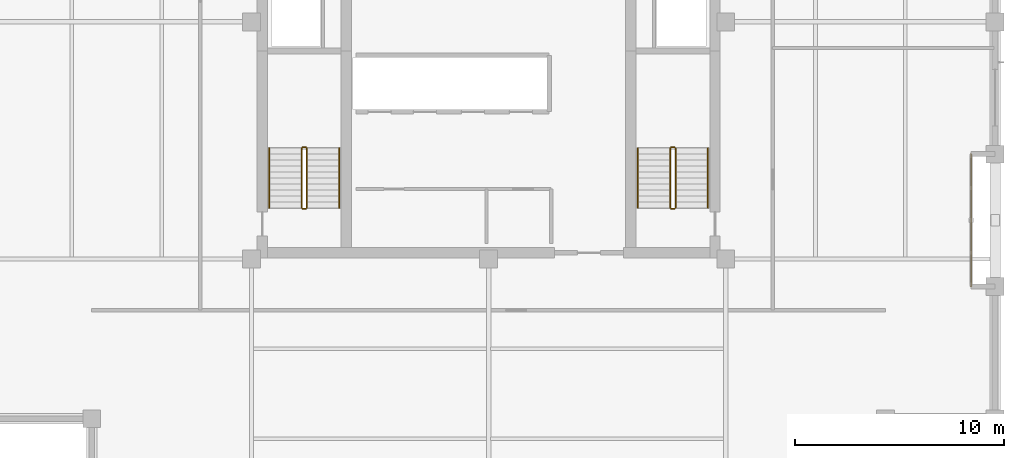
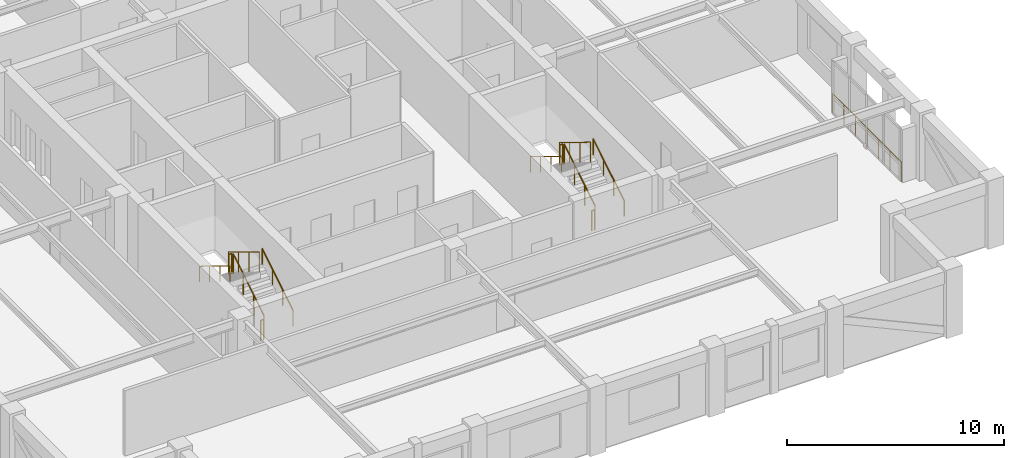
# One storey, part 11 of 11: 13 railings.
"""IFC4 building model written with IfcOpenShell, lengths in metres."""

from ifc_helpers import new_model, si_unit, direction, frame, origin, origin_2d, place, context, subcontext, project, spatial, circle, extrude, material, type_object, element, save


model = new_model("IFC4")

# Units and contexts
model_context = context("Model", 3, precision=1e-05, world=origin(), true_north=direction((0.0, 1.0)))
body_context = subcontext(model_context, "Body", "Model", "MODEL_VIEW")
ifc_project = project(units=[si_unit("LENGTHUNIT", "METRE"), si_unit("AREAUNIT", "SQUARE_METRE"), si_unit("VOLUMEUNIT", "CUBIC_METRE"), si_unit("PLANEANGLEUNIT", "RADIAN"), si_unit("MASSUNIT", "GRAM", prefix="KILO")], contexts=[model_context])

# Site, building, storey
site_placement = place(None, origin())
site = spatial("IfcSite", under=ifc_project, at=site_placement, CompositionType="ELEMENT")
building_placement = place(site_placement, origin())
building = spatial("IfcBuilding", under=site, at=building_placement, Name="Nhamokura Convention Tower", CompositionType="ELEMENT")
storey_placement = place(building_placement, frame((0.0, 0.0, 244.64990234375)))
storey = spatial("IfcBuildingStorey", under=building, at=storey_placement, Name="L60", CompositionType="ELEMENT", Elevation=244.64990234375)

# Railings
ifc_material_1 = material(Name="Anodised bronze stainless steel", Category="steel")
railing_type_1 = type_object("IfcRailingType", Name="StairWallHandrail_900", PredefinedType="HANDRAIL", material=ifc_material_1)
railing_1_placement = place(storey_placement, frame((24.85009765625, 23.10009765625, 0.175048828125)))
element("IfcRailing", 1, at=railing_1_placement, inside=storey, type_object=railing_type_1, Name="L60 ST-01 stair handrail 1", PredefinedType="HANDRAIL", context=body_context, shape_type="SweptSolid", body=[
    extrude(circle(Radius=0.02392578125, at=origin_2d()), frame((0.0, 0.0, 0.8759765625), z_axis=(0.0, 0.852159232446, 0.523282564737), x_axis=(-1.0, 0.0, 0.0)), (0.0, 0.0, 1.0), 3.34423828125),
    extrude(circle(Radius=0.02099609375, at=origin_2d()), origin(), (0.0, 0.0, 1.0), 0.851806640625),
    extrude(circle(Radius=0.02099609375, at=origin_2d()), frame((0.0, 0.949951171875, 0.583251953125)), (0.0, 0.0, 1.0), 0.851806640625),
    extrude(circle(Radius=0.02099609375, at=origin_2d()), frame((0.0, 1.89990234375, 1.166748046875)), (0.0, 0.0, 1.0), 0.851806640625),
    extrude(circle(Radius=0.02099609375, at=origin_2d()), frame((0.0, 2.849853515625, 1.75)), (0.0, 0.0, 1.0), 0.851806640625),
])
railing_2_placement = place(storey_placement, frame((21.5, 25.949951171875, 2.10009765625)))
element("IfcRailing", 2, at=railing_2_placement, inside=storey, type_object=railing_type_1, Name="L60 ST-01 stair handrail 2", PredefinedType="HANDRAIL", context=body_context, shape_type="SweptSolid", body=[
    extrude(circle(Radius=0.02392578125, at=origin_2d()), frame((0.0, 0.0, 0.8759765625), z_axis=(0.0, -0.852159232446, 0.523282564737), x_axis=(1.0, 0.0, 0.0)), (0.0, 0.0, 1.0), 3.34423828125),
    extrude(circle(Radius=0.02099609375, at=origin_2d()), origin(), (0.0, 0.0, 1.0), 0.851806640625),
    extrude(circle(Radius=0.02099609375, at=origin_2d()), frame((0.0, -0.949951171875, 0.583251953125)), (0.0, 0.0, 1.0), 0.851806640625),
    extrude(circle(Radius=0.02099609375, at=origin_2d()), frame((0.0, -1.89990234375, 1.166748046875)), (0.0, 0.0, 1.0), 0.851806640625),
    extrude(circle(Radius=0.02099609375, at=origin_2d()), frame((0.0, -2.849853515625, 1.75)), (0.0, 0.0, 1.0), 0.851806640625),
])
railing_3_placement = place(storey_placement, frame((42.5, 23.10009765625, 0.175048828125)))
element("IfcRailing", 3, at=railing_3_placement, inside=storey, type_object=railing_type_1, Name="L60 ST-02 stair handrail 1", PredefinedType="HANDRAIL", context=body_context, shape_type="SweptSolid", body=[
    extrude(circle(Radius=0.02392578125, at=origin_2d()), frame((0.0, 0.0, 0.8759765625), z_axis=(0.0, 0.852159232446, 0.523282564737), x_axis=(-1.0, 0.0, 0.0)), (0.0, 0.0, 1.0), 3.34423828125),
    extrude(circle(Radius=0.02099609375, at=origin_2d()), origin(), (0.0, 0.0, 1.0), 0.851806640625),
    extrude(circle(Radius=0.02099609375, at=origin_2d()), frame((0.0, 0.949951171875, 0.583251953125)), (0.0, 0.0, 1.0), 0.851806640625),
    extrude(circle(Radius=0.02099609375, at=origin_2d()), frame((0.0, 1.89990234375, 1.166748046875)), (0.0, 0.0, 1.0), 0.851806640625),
    extrude(circle(Radius=0.02099609375, at=origin_2d()), frame((0.0, 2.849853515625, 1.75)), (0.0, 0.0, 1.0), 0.851806640625),
])
railing_4_placement = place(storey_placement, frame((39.14990234375, 25.949951171875, 2.10009765625)))
element("IfcRailing", 4, at=railing_4_placement, inside=storey, type_object=railing_type_1, Name="L60 ST-02 stair handrail 2", PredefinedType="HANDRAIL", context=body_context, shape_type="SweptSolid", body=[
    extrude(circle(Radius=0.02392578125, at=origin_2d()), frame((0.0, 0.0, 0.8759765625), z_axis=(0.0, -0.852159232446, 0.523282564737), x_axis=(1.0, 0.0, 0.0)), (0.0, 0.0, 1.0), 3.34423828125),
    extrude(circle(Radius=0.02099609375, at=origin_2d()), origin(), (0.0, 0.0, 1.0), 0.851806640625),
    extrude(circle(Radius=0.02099609375, at=origin_2d()), frame((0.0, -0.949951171875, 0.583251953125)), (0.0, 0.0, 1.0), 0.851806640625),
    extrude(circle(Radius=0.02099609375, at=origin_2d()), frame((0.0, -1.89990234375, 1.166748046875)), (0.0, 0.0, 1.0), 0.851806640625),
    extrude(circle(Radius=0.02099609375, at=origin_2d()), frame((0.0, -2.849853515625, 1.75)), (0.0, 0.0, 1.0), 0.851806640625),
])
ifc_material_2 = material(Name="Painted tubular steel", Category="steel")
railing_type_2 = type_object("IfcRailingType", Name="StairWellGuardrail_1150", PredefinedType="GUARDRAIL", material=ifc_material_2)
railing_5_placement = place(storey_placement, frame((23.300048828125, 23.10009765625, 0.175048828125)))
element("IfcRailing", 5, at=railing_5_placement, inside=storey, type_object=railing_type_2, Name="L60 ST-01 stair guard 1", PredefinedType="GUARDRAIL", context=body_context, shape_type="SweptSolid", body=[
    extrude(circle(Radius=0.02392578125, at=origin_2d()), frame((0.0, 0.0, 1.1259765625), z_axis=(0.0, 0.852159232446, 0.523282564737), x_axis=(-1.0, 0.0, 0.0)), (0.0, 0.0, 1.0), 3.34423828125),
    extrude(circle(Radius=0.02099609375, at=origin_2d()), origin(), (0.0, 0.0, 1.0), 1.101806640625),
    extrude(circle(Radius=0.02099609375, at=origin_2d()), frame((0.0, 0.949951171875, 0.583251953125)), (0.0, 0.0, 1.0), 1.101806640625),
    extrude(circle(Radius=0.02099609375, at=origin_2d()), frame((0.0, 1.89990234375, 1.166748046875)), (0.0, 0.0, 1.0), 1.101806640625),
    extrude(circle(Radius=0.02099609375, at=origin_2d()), frame((0.0, 2.849853515625, 1.75)), (0.0, 0.0, 1.0), 1.101806640625),
])
railing_6_placement = place(storey_placement, frame((23.25, 26.0, 1.925048828125)))
element("IfcRailing", 6, at=railing_6_placement, inside=storey, type_object=railing_type_2, Name="L60 ST-01 stair guard 2", PredefinedType="GUARDRAIL", context=body_context, shape_type="SweptSolid", body=[
    extrude(circle(Radius=0.02392578125, at=origin_2d()), frame((0.0, 0.0, 1.1259765625), z_axis=(-1.0, 0.0, 0.0), x_axis=(0.0, -1.0, 0.0)), (0.0, 0.0, 1.0), 0.14990234375),
    extrude(circle(Radius=0.02099609375, at=origin_2d()), origin(), (0.0, 0.0, 1.0), 1.101806640625),
    extrude(circle(Radius=0.02099609375, at=origin_2d()), frame((-0.14990234375, 0.0, 0.0)), (0.0, 0.0, 1.0), 1.101806640625),
])
railing_7_placement = place(storey_placement, frame((23.050048828125, 25.949951171875, 2.10009765625)))
element("IfcRailing", 7, at=railing_7_placement, inside=storey, type_object=railing_type_2, Name="L60 ST-01 stair guard 3", PredefinedType="GUARDRAIL", context=body_context, shape_type="SweptSolid", body=[
    extrude(circle(Radius=0.02392578125, at=origin_2d()), frame((0.0, 0.0, 1.1259765625), z_axis=(0.0, -0.852159232446, 0.523282564737), x_axis=(1.0, 0.0, 0.0)), (0.0, 0.0, 1.0), 3.34423828125),
    extrude(circle(Radius=0.02099609375, at=origin_2d()), origin(), (0.0, 0.0, 1.0), 1.101806640625),
    extrude(circle(Radius=0.02099609375, at=origin_2d()), frame((0.0, -0.949951171875, 0.583251953125)), (0.0, 0.0, 1.0), 1.101806640625),
    extrude(circle(Radius=0.02099609375, at=origin_2d()), frame((0.0, -1.89990234375, 1.166748046875)), (0.0, 0.0, 1.0), 1.101806640625),
    extrude(circle(Radius=0.02099609375, at=origin_2d()), frame((0.0, -2.849853515625, 1.75)), (0.0, 0.0, 1.0), 1.101806640625),
])
railing_8_placement = place(storey_placement, frame((23.25, 23.050048828125, 0.0)))
element("IfcRailing", 8, at=railing_8_placement, inside=storey, type_object=railing_type_2, Name="L60 ST-01 stair guard 4", PredefinedType="GUARDRAIL", context=body_context, shape_type="SweptSolid", body=[
    extrude(circle(Radius=0.02392578125, at=origin_2d()), frame((0.0, 0.0, 1.1259765625), z_axis=(-1.0, 0.0, 0.0), x_axis=(0.0, -1.0, 0.0)), (0.0, 0.0, 1.0), 0.14990234375),
    extrude(circle(Radius=0.02099609375, at=origin_2d()), origin(), (0.0, 0.0, 1.0), 1.101806640625),
    extrude(circle(Radius=0.02099609375, at=origin_2d()), frame((-0.14990234375, 0.0, 0.0)), (0.0, 0.0, 1.0), 1.101806640625),
])
railing_9_placement = place(storey_placement, frame((40.949951171875, 23.10009765625, 0.175048828125)))
element("IfcRailing", 9, at=railing_9_placement, inside=storey, type_object=railing_type_2, Name="L60 ST-02 stair guard 1", PredefinedType="GUARDRAIL", context=body_context, shape_type="SweptSolid", body=[
    extrude(circle(Radius=0.02392578125, at=origin_2d()), frame((0.0, 0.0, 1.1259765625), z_axis=(0.0, 0.852159232446, 0.523282564737), x_axis=(-1.0, 0.0, 0.0)), (0.0, 0.0, 1.0), 3.34423828125),
    extrude(circle(Radius=0.02099609375, at=origin_2d()), origin(), (0.0, 0.0, 1.0), 1.101806640625),
    extrude(circle(Radius=0.02099609375, at=origin_2d()), frame((0.0, 0.949951171875, 0.583251953125)), (0.0, 0.0, 1.0), 1.101806640625),
    extrude(circle(Radius=0.02099609375, at=origin_2d()), frame((0.0, 1.89990234375, 1.166748046875)), (0.0, 0.0, 1.0), 1.101806640625),
    extrude(circle(Radius=0.02099609375, at=origin_2d()), frame((0.0, 2.849853515625, 1.75)), (0.0, 0.0, 1.0), 1.101806640625),
])
railing_10_placement = place(storey_placement, frame((40.89990234375, 26.0, 1.925048828125)))
element("IfcRailing", 10, at=railing_10_placement, inside=storey, type_object=railing_type_2, Name="L60 ST-02 stair guard 2", PredefinedType="GUARDRAIL", context=body_context, shape_type="SweptSolid", body=[
    extrude(circle(Radius=0.02392578125, at=origin_2d()), frame((0.0, 0.0, 1.1259765625), z_axis=(-1.0, 0.0, 0.0), x_axis=(0.0, -1.0, 0.0)), (0.0, 0.0, 1.0), 0.14990234375),
    extrude(circle(Radius=0.02099609375, at=origin_2d()), origin(), (0.0, 0.0, 1.0), 1.101806640625),
    extrude(circle(Radius=0.02099609375, at=origin_2d()), frame((-0.14990234375, 0.0, 0.0)), (0.0, 0.0, 1.0), 1.101806640625),
])
railing_11_placement = place(storey_placement, frame((40.699951171875, 25.949951171875, 2.10009765625)))
element("IfcRailing", 11, at=railing_11_placement, inside=storey, type_object=railing_type_2, Name="L60 ST-02 stair guard 3", PredefinedType="GUARDRAIL", context=body_context, shape_type="SweptSolid", body=[
    extrude(circle(Radius=0.02392578125, at=origin_2d()), frame((0.0, 0.0, 1.1259765625), z_axis=(0.0, -0.852159232446, 0.523282564737), x_axis=(1.0, 0.0, 0.0)), (0.0, 0.0, 1.0), 3.34423828125),
    extrude(circle(Radius=0.02099609375, at=origin_2d()), origin(), (0.0, 0.0, 1.0), 1.101806640625),
    extrude(circle(Radius=0.02099609375, at=origin_2d()), frame((0.0, -0.949951171875, 0.583251953125)), (0.0, 0.0, 1.0), 1.101806640625),
    extrude(circle(Radius=0.02099609375, at=origin_2d()), frame((0.0, -1.89990234375, 1.166748046875)), (0.0, 0.0, 1.0), 1.101806640625),
    extrude(circle(Radius=0.02099609375, at=origin_2d()), frame((0.0, -2.849853515625, 1.75)), (0.0, 0.0, 1.0), 1.101806640625),
])
railing_12_placement = place(storey_placement, frame((40.89990234375, 23.050048828125, 0.0)))
element("IfcRailing", 12, at=railing_12_placement, inside=storey, type_object=railing_type_2, Name="L60 ST-02 stair guard 4", PredefinedType="GUARDRAIL", context=body_context, shape_type="SweptSolid", body=[
    extrude(circle(Radius=0.02392578125, at=origin_2d()), frame((0.0, 0.0, 1.1259765625), z_axis=(-1.0, 0.0, 0.0), x_axis=(0.0, -1.0, 0.0)), (0.0, 0.0, 1.0), 0.14990234375),
    extrude(circle(Radius=0.02099609375, at=origin_2d()), origin(), (0.0, 0.0, 1.0), 1.101806640625),
    extrude(circle(Radius=0.02099609375, at=origin_2d()), frame((-0.14990234375, 0.0, 0.0)), (0.0, 0.0, 1.0), 1.101806640625),
])
ifc_material_3 = material(Name="Anodised bronze stainless steel", Category="steel")
railing_type_3 = type_object("IfcRailingType", Name="TerraceGuardrail_1150", PredefinedType="GUARDRAIL", material=ifc_material_3)
railing_13_placement = place(storey_placement, frame((55.10009765625, 25.666748046875, 0.0)))
element("IfcRailing", 13, at=railing_13_placement, inside=storey, type_object=railing_type_3, Name="L60 Scale-Slot Edge Guardrail EAST 1", PredefinedType="GUARDRAIL", context=body_context, shape_type="SweptSolid", body=[
    extrude(circle(Radius=0.02392578125, at=origin_2d()), frame((0.0, 0.0, 1.1259765625), z_axis=(0.0, -1.0, 0.0), x_axis=(1.0, 0.0, 0.0)), (0.0, 0.0, 1.0), 6.33349609375),
    extrude(circle(Radius=0.02099609375, at=origin_2d()), origin(), (0.0, 0.0, 1.0), 1.101806640625),
    extrude(circle(Radius=0.02099609375, at=origin_2d()), frame((0.0, -1.0556640625, 0.0)), (0.0, 0.0, 1.0), 1.101806640625),
    extrude(circle(Radius=0.02099609375, at=origin_2d()), frame((0.0, -2.111083984375, 0.0)), (0.0, 0.0, 1.0), 1.101806640625),
    extrude(circle(Radius=0.02099609375, at=origin_2d()), frame((0.0, -3.166748046875, 0.0)), (0.0, 0.0, 1.0), 1.101806640625),
    extrude(circle(Radius=0.02099609375, at=origin_2d()), frame((0.0, -4.222412109375, 0.0)), (0.0, 0.0, 1.0), 1.101806640625),
    extrude(circle(Radius=0.02099609375, at=origin_2d()), frame((0.0, -5.27783203125, 0.0)), (0.0, 0.0, 1.0), 1.101806640625),
    extrude(circle(Radius=0.02099609375, at=origin_2d()), frame((0.0, -6.33349609375, 0.0)), (0.0, 0.0, 1.0), 1.101806640625),
])

save(model, "model.ifc")
